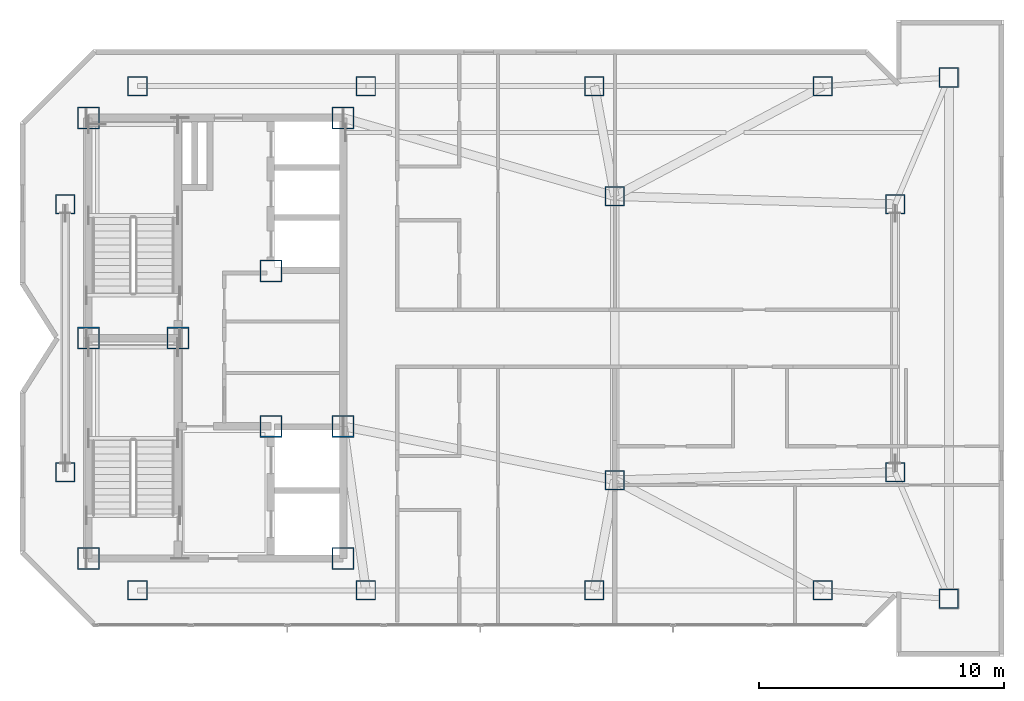
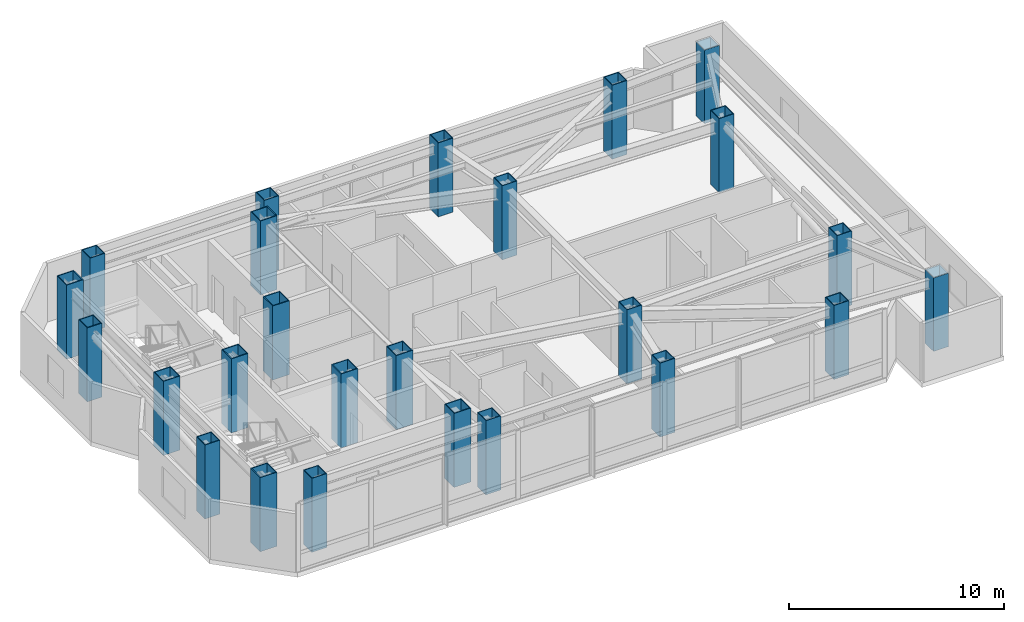
# One storey, part 1 of 12: 25 columns.
"""IFC4 building model written with IfcOpenShell, lengths in metres."""

from ifc_helpers import new_model, si_unit, direction, frame, origin, origin_2d, place, context, subcontext, project, spatial, hollow_rectangle, extrude, material, material_profile, profile_set, type_object, element, save


model = new_model("IFC4")

# Units and contexts
model_context = context("Model", 3, precision=1e-05, world=origin(), true_north=direction((0.0, 1.0)))
body_context = subcontext(model_context, "Body", "Model", "MODEL_VIEW")
ifc_project = project(units=[si_unit("LENGTHUNIT", "METRE"), si_unit("AREAUNIT", "SQUARE_METRE"), si_unit("VOLUMEUNIT", "CUBIC_METRE"), si_unit("PLANEANGLEUNIT", "RADIAN"), si_unit("MASSUNIT", "GRAM", prefix="KILO")], contexts=[model_context])

# Site, building, storey
site_placement = place(None, origin())
site = spatial("IfcSite", under=ifc_project, at=site_placement, CompositionType="ELEMENT")
building_placement = place(site_placement, origin())
building = spatial("IfcBuilding", under=site, at=building_placement, Name="Khamvora Tower", CompositionType="ELEMENT")
storey_placement = place(building_placement, frame((0.0, 0.0, 298.85009765625)))
storey = spatial("IfcBuildingStorey", under=building, at=storey_placement, Name="L76", CompositionType="ELEMENT", Elevation=298.85009765625)

# Columns
ifc_material_1 = material(Name="Steel S355", Category="steel")
ifc_material_profile_1 = material_profile(ifc_material_1, hollow_rectangle(XDim=0.800048828125, YDim=0.800048828125, WallThickness=0.0400390625, at=origin_2d()), Name="BOX800x800x40")
ifc_profile_set_1 = profile_set([ifc_material_profile_1], Name="Steel S355")
column_type_1 = type_object("IfcColumnType", Name="COL-BOX800", PredefinedType="COLUMN", material=ifc_profile_set_1)
for number, where, z_axis, x_axis, name in (
    (1, (31.0, 17.699951171875, 0.0), (0.0, 0.0, 1.0), (1.0, 0.0, 0.0), "L76 structural frame column S1"),
    (2, (40.3330078125, 17.699951171875, 0.0), (0.0, 0.0, 1.0), (1.0, 0.0, 0.0), "L76 structural frame column S2"),
    (3, (49.6669921875, 17.699951171875, 0.0), (0.0, 0.0, 1.0), (1.0, 0.0, 0.0), "L76 structural frame column S3"),
    (4, (59.0, 17.699951171875, 0.0), (0.0, 0.0, 1.0), (1.0, 0.0, 0.0), "L76 structural frame column S4"),
    (5, (31.0, 38.300048828125, 0.0), (0.0, 0.0, 1.0), (1.0, 0.0, 0.0), "L76 structural frame column N1"),
    (6, (40.3330078125, 38.300048828125, 0.0), (0.0, 0.0, 1.0), (1.0, 0.0, 0.0), "L76 structural frame column N2"),
    (7, (49.6669921875, 38.300048828125, 0.0), (0.0, 0.0, 1.0), (1.0, 0.0, 0.0), "L76 structural frame column N3"),
    (8, (59.0, 38.300048828125, 0.0), (0.0, 0.0, 1.0), (1.0, 0.0, 0.0), "L76 structural frame column N4"),
    (9, (28.050048828125, 22.52490234375, 0.0), (0.0, 0.0, 1.0), (1.0, 0.0, 0.0), "L76 structural frame column W1"),
    (10, (28.050048828125, 33.47509765625, 0.0), (0.0, 0.0, 1.0), (1.0, 0.0, 0.0), "L76 structural frame column W2"),
    (11, (61.949951171875, 22.52490234375, 0.0), (0.0, 0.0, 1.0), (1.0, 0.0, 0.0), "L76 structural frame column E1"),
    (12, (61.949951171875, 33.47509765625, 0.0), (0.0, 0.0, 1.0), (1.0, 0.0, 0.0), "L76 structural frame column E2"),
    (13, (50.5, 22.199951171875, 0.0), (0.0, 0.0, 1.0), (1.0, 0.0, 0.0), "L76 structural frame column M1"),
    (14, (50.5, 33.800048828125, 0.0), (0.0, 0.0, 1.0), (1.0, 0.0, 0.0), "L76 structural frame column M2"),
):
    element("IfcColumn", number, at=place(storey_placement, frame(where, z_axis=z_axis, x_axis=x_axis)), inside=storey, type_object=column_type_1, Name=name, PredefinedType="COLUMN", context=body_context, shape_type="SweptSolid", body=[
        extrude(hollow_rectangle(XDim=0.800048828125, YDim=0.800048828125, WallThickness=0.0400390625, at=origin_2d()), origin(), (0.0, 0.0, 1.0), 4.199951171875),
    ])
for number, where, z_axis, x_axis, name in (
    (15, (64.14990234375, 17.35009765625, 0.0), (0.0, 0.0, 1.0), (1.0, 0.0, 0.0), "L76 structural frame column EC1"),
    (16, (64.14990234375, 38.64990234375, 0.0), (0.0, 0.0, 1.0), (1.0, 0.0, 0.0), "L76 structural frame column EC2"),
):
    element("IfcColumn", number, at=place(storey_placement, frame(where, z_axis=z_axis, x_axis=x_axis)), inside=storey, type_object=column_type_1, Name=name, PredefinedType="COLUMN", context=body_context, shape_type="SweptSolid", body=[
        extrude(hollow_rectangle(XDim=0.800048828125, YDim=0.800048828125, WallThickness=0.0400390625, at=origin_2d()), origin(), (0.0, 0.0, 1.0), 4.1748046875),
    ])
ifc_material_2 = material(Name="Structural Steel S460ML", Category="steel")
ifc_material_profile_2 = material_profile(ifc_material_2, hollow_rectangle(XDim=0.89990234375, YDim=0.89990234375, WallThickness=0.044921875, at=origin_2d()), Name="BOX900x900x45")
ifc_profile_set_2 = profile_set([ifc_material_profile_2], Name="Structural Steel S460ML")
column_type_2 = type_object("IfcColumnType", Name="COL-SC-BOX900", PredefinedType="COLUMN", material=ifc_profile_set_2)
for number, where, z_axis, x_axis, name in (
    (17, (29.0, 19.0, 0.0), (0.0, 0.0, 1.0), (1.0, 0.0, 0.0), "L76 plumb core spine column SC1"),
    (18, (32.64990234375, 28.0, 0.0), (0.0, 0.0, 1.0), (1.0, 0.0, 0.0), "L76 plumb core spine column SC2"),
    (19, (39.39990234375, 19.0, 0.0), (0.0, 0.0, 1.0), (1.0, 0.0, 0.0), "L76 plumb core spine column SC3"),
    (20, (29.0, 28.0, 0.0), (0.0, 0.0, 1.0), (1.0, 0.0, 0.0), "L76 plumb core spine column SC4"),
    (21, (36.449951171875, 24.39990234375, 0.0), (0.0, 0.0, 1.0), (1.0, 0.0, 0.0), "L76 plumb core spine column SC5"),
    (22, (39.39990234375, 24.39990234375, 0.0), (0.0, 0.0, 1.0), (1.0, 0.0, 0.0), "L76 plumb core spine column SC6"),
    (23, (29.0, 37.0, 0.0), (0.0, 0.0, 1.0), (1.0, 0.0, 0.0), "L76 plumb core spine column SC7"),
    (24, (36.449951171875, 30.75, 0.0), (0.0, 0.0, 1.0), (1.0, 0.0, 0.0), "L76 plumb core spine column SC8"),
    (25, (39.39990234375, 37.0, 0.0), (0.0, 0.0, 1.0), (1.0, 0.0, 0.0), "L76 plumb core spine column SC9"),
):
    element("IfcColumn", number, at=place(storey_placement, frame(where, z_axis=z_axis, x_axis=x_axis)), inside=storey, type_object=column_type_2, Name=name, PredefinedType="COLUMN", context=body_context, shape_type="SweptSolid", body=[
        extrude(hollow_rectangle(XDim=0.89990234375, YDim=0.89990234375, WallThickness=0.044921875, at=origin_2d()), origin(), (0.0, 0.0, 1.0), 4.199951171875),
    ])

save(model, "model.ifc")
